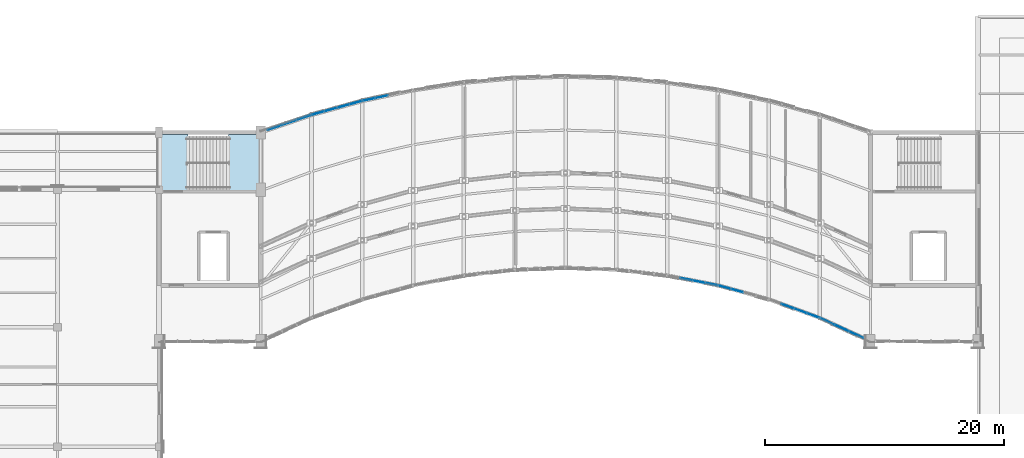
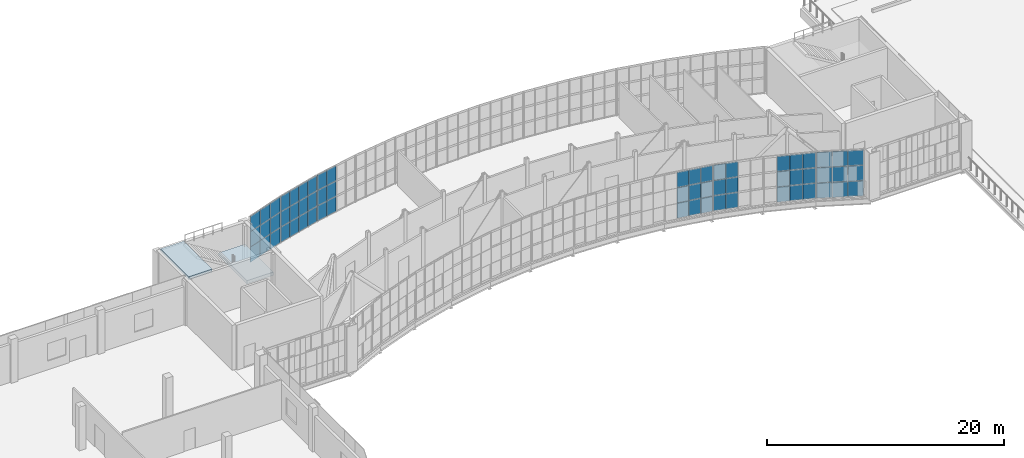
# One storey, part 44 of 66: 60 plates, 2 slabs, 8 elements without a shape of their own.
"""IFC4 building model written with IfcOpenShell, lengths in metres."""

from ifc_helpers import new_model, si_unit, direction, frame, origin, origin_2d, place, context, subcontext, project, spatial, polyline, rectangle, outline, extrude, material, layer, layer_set, type_object, element, aggregate, save


model = new_model("IFC4")

# Units and contexts
model_context = context("Model", 3, precision=1e-05, world=origin(), true_north=direction((0.0, 1.0)))
body_context = subcontext(model_context, "Body", "Model", "MODEL_VIEW")
ifc_project = project(units=[si_unit("LENGTHUNIT", "METRE"), si_unit("AREAUNIT", "SQUARE_METRE"), si_unit("VOLUMEUNIT", "CUBIC_METRE"), si_unit("PLANEANGLEUNIT", "RADIAN"), si_unit("MASSUNIT", "GRAM", prefix="KILO")], contexts=[model_context])

# Site, building, storey
site_placement = place(None, origin())
site = spatial("IfcSite", under=ifc_project, at=site_placement, CompositionType="ELEMENT")
building_placement = place(site_placement, origin())
building = spatial("IfcBuilding", under=site, at=building_placement, Name="Solvikara Media Centre", CompositionType="ELEMENT")
storey_placement = place(building_placement, frame((0.0, 0.0, 19.800048828125)))
storey = spatial("IfcBuildingStorey", under=building, at=storey_placement, Name="L04", CompositionType="ELEMENT", Elevation=19.800048828125)

# Curtain wall, plates
ifc_material_1 = material(Name="Anodised aluminium EN AW-6063", Category="aluminium")
curtain_wall_type_1 = type_object("IfcCurtainWallType", Name="CW-01", PredefinedType="NOTDEFINED", material=ifc_material_1)
curtain_wall_1_placement = place(storey_placement, origin())
curtain_wall_1 = element("IfcCurtainWall", 1, at=curtain_wall_1_placement, inside=storey, type_object=curtain_wall_type_1, Name="CW-L04-SARC-08", PredefinedType="NOTDEFINED")
ifc_material_2 = material(Name="Laminated solar-control cyan vision glass", Category="glass")
ifc_layer_1 = layer(ifc_material_2, 0.035888671875)
ifc_layer_set_1 = layer_set([ifc_layer_1], Name="Laminated solar-control cyan vision glass")
plate_type_1 = type_object("IfcPlateType", Name="PN-01", PredefinedType="CURTAIN_PANEL", material=ifc_layer_set_1)
plate_1_placement = place(storey_placement, frame((113.14794921875, 24.305908203125, 0.03466796875), z_axis=(0.0, 0.0, 1.0), x_axis=(0.981843017659, -0.189695252114, 0.0)))
plate_1 = element("IfcPlate", 2, at=plate_1_placement, type_object=plate_type_1, Name="CW-L04-SARC-08-P0200", PredefinedType="CURTAIN_PANEL", context=body_context, shape_type="SweptSolid", body=[
    extrude(rectangle(XDim=1.034912109375, YDim=0.035888671875, at=origin_2d()), origin(), (0.0, 0.0, 1.0), 1.556884765625),
])
plate_2_placement = place(storey_placement, frame((113.14794921875, 24.305908203125, 3.20849609375), z_axis=(0.0, 0.0, 1.0), x_axis=(0.981843017659, -0.189695252114, 0.0)))
plate_2 = element("IfcPlate", 3, at=plate_2_placement, type_object=plate_type_1, Name="CW-L04-SARC-08-P0202", PredefinedType="CURTAIN_PANEL", context=body_context, shape_type="SweptSolid", body=[
    extrude(rectangle(XDim=1.034912109375, YDim=0.035888671875, at=origin_2d()), origin(), (0.0, 0.0, 1.0), 1.556884765625),
])

curtain_wall_2_placement = place(storey_placement, origin())
curtain_wall_2 = element("IfcCurtainWall", 4, at=curtain_wall_2_placement, inside=storey, type_object=curtain_wall_type_1, Name="CW-L04-SARC-09", PredefinedType="NOTDEFINED")
plate_3_placement = place(storey_placement, frame((115.305908203125, 23.843017578125, 0.03466796875), z_axis=(0.0, 0.0, 1.0), x_axis=(0.96397015682, -0.26601040724, 0.0)))
plate_3 = element("IfcPlate", 5, at=plate_3_placement, type_object=plate_type_1, Name="CW-L04-SARC-09-P0000", PredefinedType="CURTAIN_PANEL", context=body_context, shape_type="SweptSolid", body=[
    extrude(rectangle(XDim=1.054931640625, YDim=0.035888671875, at=origin_2d()), origin(), (0.0, 0.0, 1.0), 1.556884765625),
])
plate_4_placement = place(storey_placement, frame((115.305908203125, 23.843017578125, 3.20849609375), z_axis=(0.0, 0.0, 1.0), x_axis=(0.96397015682, -0.26601040724, 0.0)))
plate_4 = element("IfcPlate", 6, at=plate_4_placement, type_object=plate_type_1, Name="CW-L04-SARC-09-P0002", PredefinedType="CURTAIN_PANEL", context=body_context, shape_type="SweptSolid", body=[
    extrude(rectangle(XDim=1.054931640625, YDim=0.035888671875, at=origin_2d()), origin(), (0.0, 0.0, 1.0), 1.556884765625),
])
plate_5_placement = place(storey_placement, frame((116.35205078125, 23.553955078125, 0.03466796875), z_axis=(0.0, 0.0, 1.0), x_axis=(0.96397015682, -0.26601040724, 0.0)))
plate_5 = element("IfcPlate", 7, at=plate_5_placement, type_object=plate_type_1, Name="CW-L04-SARC-09-P0100", PredefinedType="CURTAIN_PANEL", context=body_context, shape_type="SweptSolid", body=[
    extrude(rectangle(XDim=1.054931640625, YDim=0.035888671875, at=origin_2d()), origin(), (0.0, 0.0, 1.0), 1.556884765625),
])
plate_6_placement = place(storey_placement, frame((116.35205078125, 23.553955078125, 3.20849609375), z_axis=(0.0, 0.0, 1.0), x_axis=(0.96397015682, -0.26601040724, 0.0)))
plate_6 = element("IfcPlate", 8, at=plate_6_placement, type_object=plate_type_1, Name="CW-L04-SARC-09-P0102", PredefinedType="CURTAIN_PANEL", context=body_context, shape_type="SweptSolid", body=[
    extrude(rectangle(XDim=1.054931640625, YDim=0.035888671875, at=origin_2d()), origin(), (0.0, 0.0, 1.0), 1.556884765625),
])

curtain_wall_3_placement = place(storey_placement, origin())
curtain_wall_3 = element("IfcCurtainWall", 9, at=curtain_wall_3_placement, inside=storey, type_object=curtain_wall_type_1, Name="CW-L04-SARC-10", PredefinedType="NOTDEFINED")
plate_7_placement = place(storey_placement, frame((120.60205078125, 22.241943359375, 0.03466796875), z_axis=(0.0, 0.0, 1.0), x_axis=(0.939823877818, -0.341659302058, 0.0)))
plate_7 = element("IfcPlate", 10, at=plate_7_placement, type_object=plate_type_1, Name="CW-L04-SARC-10-P0100", PredefinedType="CURTAIN_PANEL", context=body_context, shape_type="SweptSolid", body=[
    extrude(rectangle(XDim=1.0830078125, YDim=0.035888671875, at=origin_2d()), origin(), (0.0, 0.0, 1.0), 1.556884765625),
])
plate_8_placement = place(storey_placement, frame((121.64794921875, 21.862060546875, 1.62158203125), z_axis=(0.0, 0.0, 1.0), x_axis=(0.939823877818, -0.341659302058, 0.0)))
plate_8 = element("IfcPlate", 11, at=plate_8_placement, type_object=plate_type_1, Name="CW-L04-SARC-10-P0201", PredefinedType="CURTAIN_PANEL", context=body_context, shape_type="SweptSolid", body=[
    extrude(rectangle(XDim=1.0830078125, YDim=0.035888671875, at=origin_2d()), origin(), (0.0, 0.0, 1.0), 1.556884765625),
])
plate_9_placement = place(storey_placement, frame((121.64794921875, 21.862060546875, 3.20849609375), z_axis=(0.0, 0.0, 1.0), x_axis=(0.939823877818, -0.341659302058, 0.0)))
plate_9 = element("IfcPlate", 12, at=plate_9_placement, type_object=plate_type_1, Name="CW-L04-SARC-10-P0202", PredefinedType="CURTAIN_PANEL", context=body_context, shape_type="SweptSolid", body=[
    extrude(rectangle(XDim=1.0830078125, YDim=0.035888671875, at=origin_2d()), origin(), (0.0, 0.0, 1.0), 1.556884765625),
])

curtain_wall_4_placement = place(storey_placement, origin())
curtain_wall_4 = element("IfcCurtainWall", 13, at=curtain_wall_4_placement, inside=storey, type_object=curtain_wall_type_1, Name="CW-L04-SARC-11", PredefinedType="NOTDEFINED")
plate_10_placement = place(storey_placement, frame((123.888916015625, 20.985107421875, 0.03466796875), z_axis=(0.0, 0.0, 1.0), x_axis=(0.908566513921, -0.417740218056, 0.0)))
plate_10 = element("IfcPlate", 14, at=plate_10_placement, type_object=plate_type_1, Name="CW-L04-SARC-11-P0000", PredefinedType="CURTAIN_PANEL", context=body_context, shape_type="SweptSolid", body=[
    extrude(rectangle(XDim=1.306884765625, YDim=0.035888671875, at=origin_2d()), origin(), (0.0, 0.0, 1.0), 1.556884765625),
])
plate_11_placement = place(storey_placement, frame((123.888916015625, 20.985107421875, 1.62158203125), z_axis=(0.0, 0.0, 1.0), x_axis=(0.908566513921, -0.417740218056, 0.0)))
plate_11 = element("IfcPlate", 15, at=plate_11_placement, type_object=plate_type_1, Name="CW-L04-SARC-11-P0001", PredefinedType="CURTAIN_PANEL", context=body_context, shape_type="SweptSolid", body=[
    extrude(rectangle(XDim=1.306884765625, YDim=0.035888671875, at=origin_2d()), origin(), (0.0, 0.0, 1.0), 1.556884765625),
])
plate_12_placement = place(storey_placement, frame((123.888916015625, 20.985107421875, 3.20849609375), z_axis=(0.0, 0.0, 1.0), x_axis=(0.908566513921, -0.417740218056, 0.0)))
plate_12 = element("IfcPlate", 16, at=plate_12_placement, type_object=plate_type_1, Name="CW-L04-SARC-11-P0002", PredefinedType="CURTAIN_PANEL", context=body_context, shape_type="SweptSolid", body=[
    extrude(rectangle(XDim=1.306884765625, YDim=0.035888671875, at=origin_2d()), origin(), (0.0, 0.0, 1.0), 1.556884765625),
])
plate_13_placement = place(storey_placement, frame((125.10400390625, 20.426025390625, 1.62158203125), z_axis=(0.0, 0.0, 1.0), x_axis=(0.908566513921, -0.417740218056, 0.0)))
plate_13 = element("IfcPlate", 17, at=plate_13_placement, type_object=plate_type_1, Name="CW-L04-SARC-11-P0101", PredefinedType="CURTAIN_PANEL", context=body_context, shape_type="SweptSolid", body=[
    extrude(rectangle(XDim=1.306884765625, YDim=0.035888671875, at=origin_2d()), origin(), (0.0, 0.0, 1.0), 1.556884765625),
])
plate_14_placement = place(storey_placement, frame((126.318115234375, 19.867919921875, 0.03466796875), z_axis=(0.0, 0.0, 1.0), x_axis=(0.908566513921, -0.417740218056, 0.0)))
plate_14 = element("IfcPlate", 18, at=plate_14_placement, type_object=plate_type_1, Name="CW-L04-SARC-11-P0200", PredefinedType="CURTAIN_PANEL", context=body_context, shape_type="SweptSolid", body=[
    extrude(rectangle(XDim=1.306884765625, YDim=0.035888671875, at=origin_2d()), origin(), (0.0, 0.0, 1.0), 1.556884765625),
])
plate_15_placement = place(storey_placement, frame((126.318115234375, 19.867919921875, 1.62158203125), z_axis=(0.0, 0.0, 1.0), x_axis=(0.908566513921, -0.417740218056, 0.0)))
plate_15 = element("IfcPlate", 19, at=plate_15_placement, type_object=plate_type_1, Name="CW-L04-SARC-11-P0201", PredefinedType="CURTAIN_PANEL", context=body_context, shape_type="SweptSolid", body=[
    extrude(rectangle(XDim=1.306884765625, YDim=0.035888671875, at=origin_2d()), origin(), (0.0, 0.0, 1.0), 1.556884765625),
])

curtain_wall_type_2 = type_object("IfcCurtainWallType", Name="CW-02", PredefinedType="NOTDEFINED", material=ifc_material_1)
curtain_wall_5_placement = place(storey_placement, origin())
curtain_wall_5 = element("IfcCurtainWall", 20, at=curtain_wall_5_placement, inside=storey, type_object=curtain_wall_type_2, Name="CW-L04-NARC-00", PredefinedType="NOTDEFINED")
plate_16_placement = place(storey_placement, frame((77.674072265625, 37.202880859375, 1.62158203125), z_axis=(0.0, 0.0, 1.0), x_axis=(0.945717277442, 0.324990509319, 0.0)))
plate_16 = element("IfcPlate", 21, at=plate_16_placement, type_object=plate_type_1, Name="CW-L04-NARC-00-P0001", PredefinedType="CURTAIN_PANEL", context=body_context, shape_type="SweptSolid", body=[
    extrude(rectangle(XDim=1.257080078125, YDim=0.035888671875, at=origin_2d()), origin(), (0.0, 0.0, 1.0), 1.556884765625),
])
plate_17_placement = place(storey_placement, frame((78.89111328125, 37.6220703125, 0.03466796875), z_axis=(0.0, 0.0, 1.0), x_axis=(0.945717277442, 0.324990509319, 0.0)))
plate_17 = element("IfcPlate", 22, at=plate_17_placement, type_object=plate_type_1, Name="CW-L04-NARC-00-P0100", PredefinedType="CURTAIN_PANEL", context=body_context, shape_type="SweptSolid", body=[
    extrude(rectangle(XDim=1.257080078125, YDim=0.035888671875, at=origin_2d()), origin(), (0.0, 0.0, 1.0), 1.556884765625),
])
plate_18_placement = place(storey_placement, frame((78.89111328125, 37.6220703125, 1.62158203125), z_axis=(0.0, 0.0, 1.0), x_axis=(0.945717277442, 0.324990509319, 0.0)))
plate_18 = element("IfcPlate", 23, at=plate_18_placement, type_object=plate_type_1, Name="CW-L04-NARC-00-P0101", PredefinedType="CURTAIN_PANEL", context=body_context, shape_type="SweptSolid", body=[
    extrude(rectangle(XDim=1.257080078125, YDim=0.035888671875, at=origin_2d()), origin(), (0.0, 0.0, 1.0), 1.556884765625),
])
plate_19_placement = place(storey_placement, frame((80.10791015625, 38.0400390625, 3.20849609375), z_axis=(0.0, 0.0, 1.0), x_axis=(0.945717277442, 0.324990509319, 0.0)))
plate_19 = element("IfcPlate", 24, at=plate_19_placement, type_object=plate_type_1, Name="CW-L04-NARC-00-P0202", PredefinedType="CURTAIN_PANEL", context=body_context, shape_type="SweptSolid", body=[
    extrude(rectangle(XDim=1.257080078125, YDim=0.035888671875, at=origin_2d()), origin(), (0.0, 0.0, 1.0), 1.556884765625),
])

curtain_wall_6_placement = place(storey_placement, origin())
curtain_wall_6 = element("IfcCurtainWall", 25, at=curtain_wall_6_placement, inside=storey, type_object=curtain_wall_type_2, Name="CW-L04-NARC-01", PredefinedType="NOTDEFINED")
plate_20_placement = place(storey_placement, frame((81.306884765625, 38.4130859375, 1.62158203125), z_axis=(0.0, 0.0, 1.0), x_axis=(0.964030487854, 0.265791682504, 0.0)))
plate_20 = element("IfcPlate", 26, at=plate_20_placement, type_object=plate_type_1, Name="CW-L04-NARC-01-P0001", PredefinedType="CURTAIN_PANEL", context=body_context, shape_type="SweptSolid", body=[
    extrude(rectangle(XDim=1.054931640625, YDim=0.035888671875, at=origin_2d()), origin(), (0.0, 0.0, 1.0), 1.556884765625),
])
plate_21_placement = place(storey_placement, frame((82.35205078125, 38.700927734375, 3.20849609375), z_axis=(0.0, 0.0, 1.0), x_axis=(0.964030487854, 0.265791682504, 0.0)))
plate_21 = element("IfcPlate", 27, at=plate_21_placement, type_object=plate_type_1, Name="CW-L04-NARC-01-P0102", PredefinedType="CURTAIN_PANEL", context=body_context, shape_type="SweptSolid", body=[
    extrude(rectangle(XDim=1.054931640625, YDim=0.035888671875, at=origin_2d()), origin(), (0.0, 0.0, 1.0), 1.556884765625),
])
plate_22_placement = place(storey_placement, frame((83.39697265625, 38.989990234375, 1.62158203125), z_axis=(0.0, 0.0, 1.0), x_axis=(0.964030487854, 0.265791682504, 0.0)))
plate_22 = element("IfcPlate", 28, at=plate_22_placement, type_object=plate_type_1, Name="CW-L04-NARC-01-P0201", PredefinedType="CURTAIN_PANEL", context=body_context, shape_type="SweptSolid", body=[
    extrude(rectangle(XDim=1.054931640625, YDim=0.035888671875, at=origin_2d()), origin(), (0.0, 0.0, 1.0), 1.556884765625),
])
plate_23_placement = place(storey_placement, frame((84.443115234375, 39.278076171875, 3.20849609375), z_axis=(0.0, 0.0, 1.0), x_axis=(0.964030487854, 0.265791682504, 0.0)))
plate_23 = element("IfcPlate", 29, at=plate_23_placement, type_object=plate_type_1, Name="CW-L04-NARC-01-P0302", PredefinedType="CURTAIN_PANEL", context=body_context, shape_type="SweptSolid", body=[
    extrude(rectangle(XDim=1.054931640625, YDim=0.035888671875, at=origin_2d()), origin(), (0.0, 0.0, 1.0), 1.556884765625),
])

curtain_wall_7_placement = place(storey_placement, origin())
curtain_wall_7 = element("IfcCurtainWall", 30, at=curtain_wall_7_placement, inside=storey, type_object=curtain_wall_type_2, Name="CW-L04-NARC-02", PredefinedType="NOTDEFINED")
plate_24_placement = place(storey_placement, frame((86.60205078125, 39.77001953125, 0.03466796875), z_axis=(0.0, 0.0, 1.0), x_axis=(0.97837923005, 0.206818959981, 0.0)))
plate_24 = element("IfcPlate", 31, at=plate_24_placement, type_object=plate_type_1, Name="CW-L04-NARC-02-P0100", PredefinedType="CURTAIN_PANEL", context=body_context, shape_type="SweptSolid", body=[
    extrude(rectangle(XDim=1.0390625, YDim=0.035888671875, at=origin_2d()), origin(), (0.0, 0.0, 1.0), 1.556884765625),
])
plate_25_placement = place(storey_placement, frame((86.60205078125, 39.77001953125, 1.62158203125), z_axis=(0.0, 0.0, 1.0), x_axis=(0.97837923005, 0.206818959981, 0.0)))
plate_25 = element("IfcPlate", 32, at=plate_25_placement, type_object=plate_type_1, Name="CW-L04-NARC-02-P0101", PredefinedType="CURTAIN_PANEL", context=body_context, shape_type="SweptSolid", body=[
    extrude(rectangle(XDim=1.0390625, YDim=0.035888671875, at=origin_2d()), origin(), (0.0, 0.0, 1.0), 1.556884765625),
])
plate_26_placement = place(storey_placement, frame((86.60205078125, 39.77001953125, 3.20849609375), z_axis=(0.0, 0.0, 1.0), x_axis=(0.97837923005, 0.206818959981, 0.0)))
plate_26 = element("IfcPlate", 33, at=plate_26_placement, type_object=plate_type_1, Name="CW-L04-NARC-02-P0102", PredefinedType="CURTAIN_PANEL", context=body_context, shape_type="SweptSolid", body=[
    extrude(rectangle(XDim=1.0390625, YDim=0.035888671875, at=origin_2d()), origin(), (0.0, 0.0, 1.0), 1.556884765625),
])

# Plate
ifc_material_3 = material(Name="Ceramic-fritted teal low-E glass", Category="glass")
ifc_layer_2 = layer(ifc_material_3, 0.0419921875)
ifc_layer_set_2 = layer_set([ifc_layer_2], Name="Ceramic-fritted teal low-E glass")
plate_type_2 = type_object("IfcPlateType", Name="PN-02", PredefinedType="CURTAIN_PANEL", material=ifc_layer_set_2)
plate_27_placement = place(storey_placement, frame((112.10205078125, 24.508056640625, 1.62158203125), z_axis=(0.0, 0.0, 1.0), x_axis=(0.981843017659, -0.189695252114, 0.0)))
plate_27 = element("IfcPlate", 34, at=plate_27_placement, type_object=plate_type_2, Name="CW-L04-SARC-08-P0101", PredefinedType="CURTAIN_PANEL", context=body_context, shape_type="SweptSolid", body=[
    extrude(rectangle(XDim=1.034912109375, YDim=0.0419921875, at=origin_2d()), origin(), (0.0, 0.0, 1.0), 1.556884765625),
])

plate_28_placement = place(storey_placement, frame((113.14794921875, 24.305908203125, 1.62158203125), z_axis=(0.0, 0.0, 1.0), x_axis=(0.981843017659, -0.189695252114, 0.0)))
plate_28 = element("IfcPlate", 35, at=plate_28_placement, type_object=plate_type_2, Name="CW-L04-SARC-08-P0201", PredefinedType="CURTAIN_PANEL", context=body_context, shape_type="SweptSolid", body=[
    extrude(rectangle(XDim=1.034912109375, YDim=0.0419921875, at=origin_2d()), origin(), (0.0, 0.0, 1.0), 1.556884765625),
])

plate_29_placement = place(storey_placement, frame((114.193115234375, 24.10400390625, 0.03466796875), z_axis=(0.0, 0.0, 1.0), x_axis=(0.981843017659, -0.189695252114, 0.0)))
plate_29 = element("IfcPlate", 36, at=plate_29_placement, type_object=plate_type_2, Name="CW-L04-SARC-08-P0300", PredefinedType="CURTAIN_PANEL", context=body_context, shape_type="SweptSolid", body=[
    extrude(rectangle(XDim=1.034912109375, YDim=0.0419921875, at=origin_2d()), origin(), (0.0, 0.0, 1.0), 1.556884765625),
])

plate_30_placement = place(storey_placement, frame((114.193115234375, 24.10400390625, 1.62158203125), z_axis=(0.0, 0.0, 1.0), x_axis=(0.981843017659, -0.189695252114, 0.0)))
plate_30 = element("IfcPlate", 37, at=plate_30_placement, type_object=plate_type_2, Name="CW-L04-SARC-08-P0301", PredefinedType="CURTAIN_PANEL", context=body_context, shape_type="SweptSolid", body=[
    extrude(rectangle(XDim=1.034912109375, YDim=0.0419921875, at=origin_2d()), origin(), (0.0, 0.0, 1.0), 1.556884765625),
])

plate_31_placement = place(storey_placement, frame((114.193115234375, 24.10400390625, 3.20849609375), z_axis=(0.0, 0.0, 1.0), x_axis=(0.981843017659, -0.189695252114, 0.0)))
plate_31 = element("IfcPlate", 38, at=plate_31_placement, type_object=plate_type_2, Name="CW-L04-SARC-08-P0302", PredefinedType="CURTAIN_PANEL", context=body_context, shape_type="SweptSolid", body=[
    extrude(rectangle(XDim=1.034912109375, YDim=0.0419921875, at=origin_2d()), origin(), (0.0, 0.0, 1.0), 1.556884765625),
])

plate_32_placement = place(storey_placement, frame((115.305908203125, 23.843017578125, 1.62158203125), z_axis=(0.0, 0.0, 1.0), x_axis=(0.96397015682, -0.26601040724, 0.0)))
plate_32 = element("IfcPlate", 39, at=plate_32_placement, type_object=plate_type_2, Name="CW-L04-SARC-09-P0001", PredefinedType="CURTAIN_PANEL", context=body_context, shape_type="SweptSolid", body=[
    extrude(rectangle(XDim=1.054931640625, YDim=0.0419921875, at=origin_2d()), origin(), (0.0, 0.0, 1.0), 1.556884765625),
])

plate_33_placement = place(storey_placement, frame((120.60205078125, 22.241943359375, 1.62158203125), z_axis=(0.0, 0.0, 1.0), x_axis=(0.939823877818, -0.341659302058, 0.0)))
plate_33 = element("IfcPlate", 40, at=plate_33_placement, type_object=plate_type_2, Name="CW-L04-SARC-10-P0101", PredefinedType="CURTAIN_PANEL", context=body_context, shape_type="SweptSolid", body=[
    extrude(rectangle(XDim=1.0830078125, YDim=0.0419921875, at=origin_2d()), origin(), (0.0, 0.0, 1.0), 1.556884765625),
])

plate_34_placement = place(storey_placement, frame((121.64794921875, 21.862060546875, 0.03466796875), z_axis=(0.0, 0.0, 1.0), x_axis=(0.939823877818, -0.341659302058, 0.0)))
plate_34 = element("IfcPlate", 41, at=plate_34_placement, type_object=plate_type_2, Name="CW-L04-SARC-10-P0200", PredefinedType="CURTAIN_PANEL", context=body_context, shape_type="SweptSolid", body=[
    extrude(rectangle(XDim=1.0830078125, YDim=0.0419921875, at=origin_2d()), origin(), (0.0, 0.0, 1.0), 1.556884765625),
])

plate_35_placement = place(storey_placement, frame((122.694091796875, 21.48095703125, 0.03466796875), z_axis=(0.0, 0.0, 1.0), x_axis=(0.939823877818, -0.341659302058, 0.0)))
plate_35 = element("IfcPlate", 42, at=plate_35_placement, type_object=plate_type_2, Name="CW-L04-SARC-10-P0300", PredefinedType="CURTAIN_PANEL", context=body_context, shape_type="SweptSolid", body=[
    extrude(rectangle(XDim=1.0830078125, YDim=0.0419921875, at=origin_2d()), origin(), (0.0, 0.0, 1.0), 1.556884765625),
])

plate_36_placement = place(storey_placement, frame((122.694091796875, 21.48095703125, 3.20849609375), z_axis=(0.0, 0.0, 1.0), x_axis=(0.939823877818, -0.341659302058, 0.0)))
plate_36 = element("IfcPlate", 43, at=plate_36_placement, type_object=plate_type_2, Name="CW-L04-SARC-10-P0302", PredefinedType="CURTAIN_PANEL", context=body_context, shape_type="SweptSolid", body=[
    extrude(rectangle(XDim=1.0830078125, YDim=0.0419921875, at=origin_2d()), origin(), (0.0, 0.0, 1.0), 1.556884765625),
])

plate_37_placement = place(storey_placement, frame((126.318115234375, 19.867919921875, 3.20849609375), z_axis=(0.0, 0.0, 1.0), x_axis=(0.908566513921, -0.417740218056, 0.0)))
plate_37 = element("IfcPlate", 44, at=plate_37_placement, type_object=plate_type_2, Name="CW-L04-SARC-11-P0202", PredefinedType="CURTAIN_PANEL", context=body_context, shape_type="SweptSolid", body=[
    extrude(rectangle(XDim=1.306884765625, YDim=0.0419921875, at=origin_2d()), origin(), (0.0, 0.0, 1.0), 1.556884765625),
])

plate_38_placement = place(storey_placement, frame((77.674072265625, 37.202880859375, 0.03466796875), z_axis=(0.0, 0.0, 1.0), x_axis=(0.945717277442, 0.324990509319, 0.0)))
plate_38 = element("IfcPlate", 45, at=plate_38_placement, type_object=plate_type_2, Name="CW-L04-NARC-00-P0000", PredefinedType="CURTAIN_PANEL", context=body_context, shape_type="SweptSolid", body=[
    extrude(rectangle(XDim=1.257080078125, YDim=0.0419921875, at=origin_2d()), origin(), (0.0, 0.0, 1.0), 1.556884765625),
])

plate_39_placement = place(storey_placement, frame((77.674072265625, 37.202880859375, 3.20849609375), z_axis=(0.0, 0.0, 1.0), x_axis=(0.945717277442, 0.324990509319, 0.0)))
plate_39 = element("IfcPlate", 46, at=plate_39_placement, type_object=plate_type_2, Name="CW-L04-NARC-00-P0002", PredefinedType="CURTAIN_PANEL", context=body_context, shape_type="SweptSolid", body=[
    extrude(rectangle(XDim=1.257080078125, YDim=0.0419921875, at=origin_2d()), origin(), (0.0, 0.0, 1.0), 1.556884765625),
])

plate_40_placement = place(storey_placement, frame((80.10791015625, 38.0400390625, 1.62158203125), z_axis=(0.0, 0.0, 1.0), x_axis=(0.945717277442, 0.324990509319, 0.0)))
plate_40 = element("IfcPlate", 47, at=plate_40_placement, type_object=plate_type_2, Name="CW-L04-NARC-00-P0201", PredefinedType="CURTAIN_PANEL", context=body_context, shape_type="SweptSolid", body=[
    extrude(rectangle(XDim=1.257080078125, YDim=0.0419921875, at=origin_2d()), origin(), (0.0, 0.0, 1.0), 1.556884765625),
])

plate_41_placement = place(storey_placement, frame((82.35205078125, 38.700927734375, 0.03466796875), z_axis=(0.0, 0.0, 1.0), x_axis=(0.964030487854, 0.265791682504, 0.0)))
plate_41 = element("IfcPlate", 48, at=plate_41_placement, type_object=plate_type_2, Name="CW-L04-NARC-01-P0100", PredefinedType="CURTAIN_PANEL", context=body_context, shape_type="SweptSolid", body=[
    extrude(rectangle(XDim=1.054931640625, YDim=0.0419921875, at=origin_2d()), origin(), (0.0, 0.0, 1.0), 1.556884765625),
])

plate_42_placement = place(storey_placement, frame((82.35205078125, 38.700927734375, 1.62158203125), z_axis=(0.0, 0.0, 1.0), x_axis=(0.964030487854, 0.265791682504, 0.0)))
plate_42 = element("IfcPlate", 49, at=plate_42_placement, type_object=plate_type_2, Name="CW-L04-NARC-01-P0101", PredefinedType="CURTAIN_PANEL", context=body_context, shape_type="SweptSolid", body=[
    extrude(rectangle(XDim=1.054931640625, YDim=0.0419921875, at=origin_2d()), origin(), (0.0, 0.0, 1.0), 1.556884765625),
])

plate_43_placement = place(storey_placement, frame((83.39697265625, 38.989990234375, 0.03466796875), z_axis=(0.0, 0.0, 1.0), x_axis=(0.964030487854, 0.265791682504, 0.0)))
plate_43 = element("IfcPlate", 50, at=plate_43_placement, type_object=plate_type_2, Name="CW-L04-NARC-01-P0200", PredefinedType="CURTAIN_PANEL", context=body_context, shape_type="SweptSolid", body=[
    extrude(rectangle(XDim=1.054931640625, YDim=0.0419921875, at=origin_2d()), origin(), (0.0, 0.0, 1.0), 1.556884765625),
])

plate_44_placement = place(storey_placement, frame((84.443115234375, 39.278076171875, 1.62158203125), z_axis=(0.0, 0.0, 1.0), x_axis=(0.964030487854, 0.265791682504, 0.0)))
plate_44 = element("IfcPlate", 51, at=plate_44_placement, type_object=plate_type_2, Name="CW-L04-NARC-01-P0301", PredefinedType="CURTAIN_PANEL", context=body_context, shape_type="SweptSolid", body=[
    extrude(rectangle(XDim=1.054931640625, YDim=0.0419921875, at=origin_2d()), origin(), (0.0, 0.0, 1.0), 1.556884765625),
])

plate_45_placement = place(storey_placement, frame((85.555908203125, 39.548095703125, 0.03466796875), z_axis=(0.0, 0.0, 1.0), x_axis=(0.97837923005, 0.206818959981, 0.0)))
plate_45 = element("IfcPlate", 52, at=plate_45_placement, type_object=plate_type_2, Name="CW-L04-NARC-02-P0000", PredefinedType="CURTAIN_PANEL", context=body_context, shape_type="SweptSolid", body=[
    extrude(rectangle(XDim=1.0390625, YDim=0.0419921875, at=origin_2d()), origin(), (0.0, 0.0, 1.0), 1.556884765625),
])

ifc_material_4 = material(Name="Insulated silver-pearl glass spandrel panel", Category="glass")
ifc_layer_3 = layer(ifc_material_4, 0.054931640625)
ifc_layer_set_3 = layer_set([ifc_layer_3], Name="Insulated silver-pearl glass spandrel panel")
plate_type_3 = type_object("IfcPlateType", Name="PN-03", PredefinedType="CURTAIN_PANEL", material=ifc_layer_set_3)
plate_46_placement = place(storey_placement, frame((112.10205078125, 24.508056640625, 0.03466796875), z_axis=(0.0, 0.0, 1.0), x_axis=(0.981843017659, -0.189695252114, 0.0)))
plate_46 = element("IfcPlate", 53, at=plate_46_placement, type_object=plate_type_3, Name="CW-L04-SARC-08-P0100", PredefinedType="CURTAIN_PANEL", context=body_context, shape_type="SweptSolid", body=[
    extrude(rectangle(XDim=1.034912109375, YDim=0.054931640625, at=origin_2d()), origin(), (0.0, 0.0, 1.0), 1.556884765625),
])

plate_47_placement = place(storey_placement, frame((112.10205078125, 24.508056640625, 3.20849609375), z_axis=(0.0, 0.0, 1.0), x_axis=(0.981843017659, -0.189695252114, 0.0)))
plate_47 = element("IfcPlate", 54, at=plate_47_placement, type_object=plate_type_3, Name="CW-L04-SARC-08-P0102", PredefinedType="CURTAIN_PANEL", context=body_context, shape_type="SweptSolid", body=[
    extrude(rectangle(XDim=1.034912109375, YDim=0.054931640625, at=origin_2d()), origin(), (0.0, 0.0, 1.0), 1.556884765625),
])

aggregate(curtain_wall_1, [plate_46, plate_27, plate_47, plate_1, plate_28, plate_2, plate_29, plate_30, plate_31])

plate_48_placement = place(storey_placement, frame((116.35205078125, 23.553955078125, 1.62158203125), z_axis=(0.0, 0.0, 1.0), x_axis=(0.96397015682, -0.26601040724, 0.0)))
plate_48 = element("IfcPlate", 55, at=plate_48_placement, type_object=plate_type_3, Name="CW-L04-SARC-09-P0101", PredefinedType="CURTAIN_PANEL", context=body_context, shape_type="SweptSolid", body=[
    extrude(rectangle(XDim=1.054931640625, YDim=0.054931640625, at=origin_2d()), origin(), (0.0, 0.0, 1.0), 1.556884765625),
])

aggregate(curtain_wall_2, [plate_3, plate_32, plate_4, plate_5, plate_48, plate_6])

plate_49_placement = place(storey_placement, frame((120.60205078125, 22.241943359375, 3.20849609375), z_axis=(0.0, 0.0, 1.0), x_axis=(0.939823877818, -0.341659302058, 0.0)))
plate_49 = element("IfcPlate", 56, at=plate_49_placement, type_object=plate_type_3, Name="CW-L04-SARC-10-P0102", PredefinedType="CURTAIN_PANEL", context=body_context, shape_type="SweptSolid", body=[
    extrude(rectangle(XDim=1.0830078125, YDim=0.054931640625, at=origin_2d()), origin(), (0.0, 0.0, 1.0), 1.556884765625),
])

plate_50_placement = place(storey_placement, frame((122.694091796875, 21.48095703125, 1.62158203125), z_axis=(0.0, 0.0, 1.0), x_axis=(0.939823877818, -0.341659302058, 0.0)))
plate_50 = element("IfcPlate", 57, at=plate_50_placement, type_object=plate_type_3, Name="CW-L04-SARC-10-P0301", PredefinedType="CURTAIN_PANEL", context=body_context, shape_type="SweptSolid", body=[
    extrude(rectangle(XDim=1.0830078125, YDim=0.054931640625, at=origin_2d()), origin(), (0.0, 0.0, 1.0), 1.556884765625),
])

aggregate(curtain_wall_3, [plate_7, plate_33, plate_49, plate_34, plate_8, plate_9, plate_35, plate_50, plate_36])

plate_51_placement = place(storey_placement, frame((125.10400390625, 20.426025390625, 0.03466796875), z_axis=(0.0, 0.0, 1.0), x_axis=(0.908566513921, -0.417740218056, 0.0)))
plate_51 = element("IfcPlate", 58, at=plate_51_placement, type_object=plate_type_3, Name="CW-L04-SARC-11-P0100", PredefinedType="CURTAIN_PANEL", context=body_context, shape_type="SweptSolid", body=[
    extrude(rectangle(XDim=1.306884765625, YDim=0.054931640625, at=origin_2d()), origin(), (0.0, 0.0, 1.0), 1.556884765625),
])

plate_52_placement = place(storey_placement, frame((125.10400390625, 20.426025390625, 3.20849609375), z_axis=(0.0, 0.0, 1.0), x_axis=(0.908566513921, -0.417740218056, 0.0)))
plate_52 = element("IfcPlate", 59, at=plate_52_placement, type_object=plate_type_3, Name="CW-L04-SARC-11-P0102", PredefinedType="CURTAIN_PANEL", context=body_context, shape_type="SweptSolid", body=[
    extrude(rectangle(XDim=1.306884765625, YDim=0.054931640625, at=origin_2d()), origin(), (0.0, 0.0, 1.0), 1.556884765625),
])

aggregate(curtain_wall_4, [plate_10, plate_11, plate_12, plate_51, plate_13, plate_52, plate_14, plate_15, plate_37])

plate_53_placement = place(storey_placement, frame((78.89111328125, 37.6220703125, 3.20849609375), z_axis=(0.0, 0.0, 1.0), x_axis=(0.945717277442, 0.324990509319, 0.0)))
plate_53 = element("IfcPlate", 60, at=plate_53_placement, type_object=plate_type_3, Name="CW-L04-NARC-00-P0102", PredefinedType="CURTAIN_PANEL", context=body_context, shape_type="SweptSolid", body=[
    extrude(rectangle(XDim=1.257080078125, YDim=0.054931640625, at=origin_2d()), origin(), (0.0, 0.0, 1.0), 1.556884765625),
])

plate_54_placement = place(storey_placement, frame((80.10791015625, 38.0400390625, 0.03466796875), z_axis=(0.0, 0.0, 1.0), x_axis=(0.945717277442, 0.324990509319, 0.0)))
plate_54 = element("IfcPlate", 61, at=plate_54_placement, type_object=plate_type_3, Name="CW-L04-NARC-00-P0200", PredefinedType="CURTAIN_PANEL", context=body_context, shape_type="SweptSolid", body=[
    extrude(rectangle(XDim=1.257080078125, YDim=0.054931640625, at=origin_2d()), origin(), (0.0, 0.0, 1.0), 1.556884765625),
])

aggregate(curtain_wall_5, [plate_38, plate_16, plate_39, plate_17, plate_18, plate_53, plate_54, plate_40, plate_19])

plate_55_placement = place(storey_placement, frame((81.306884765625, 38.4130859375, 0.03466796875), z_axis=(0.0, 0.0, 1.0), x_axis=(0.964030487854, 0.265791682504, 0.0)))
plate_55 = element("IfcPlate", 62, at=plate_55_placement, type_object=plate_type_3, Name="CW-L04-NARC-01-P0000", PredefinedType="CURTAIN_PANEL", context=body_context, shape_type="SweptSolid", body=[
    extrude(rectangle(XDim=1.054931640625, YDim=0.054931640625, at=origin_2d()), origin(), (0.0, 0.0, 1.0), 1.556884765625),
])

plate_56_placement = place(storey_placement, frame((81.306884765625, 38.4130859375, 3.20849609375), z_axis=(0.0, 0.0, 1.0), x_axis=(0.964030487854, 0.265791682504, 0.0)))
plate_56 = element("IfcPlate", 63, at=plate_56_placement, type_object=plate_type_3, Name="CW-L04-NARC-01-P0002", PredefinedType="CURTAIN_PANEL", context=body_context, shape_type="SweptSolid", body=[
    extrude(rectangle(XDim=1.054931640625, YDim=0.054931640625, at=origin_2d()), origin(), (0.0, 0.0, 1.0), 1.556884765625),
])

plate_57_placement = place(storey_placement, frame((83.39697265625, 38.989990234375, 3.20849609375), z_axis=(0.0, 0.0, 1.0), x_axis=(0.964030487854, 0.265791682504, 0.0)))
plate_57 = element("IfcPlate", 64, at=plate_57_placement, type_object=plate_type_3, Name="CW-L04-NARC-01-P0202", PredefinedType="CURTAIN_PANEL", context=body_context, shape_type="SweptSolid", body=[
    extrude(rectangle(XDim=1.054931640625, YDim=0.054931640625, at=origin_2d()), origin(), (0.0, 0.0, 1.0), 1.556884765625),
])

plate_58_placement = place(storey_placement, frame((84.443115234375, 39.278076171875, 0.03466796875), z_axis=(0.0, 0.0, 1.0), x_axis=(0.964030487854, 0.265791682504, 0.0)))
plate_58 = element("IfcPlate", 65, at=plate_58_placement, type_object=plate_type_3, Name="CW-L04-NARC-01-P0300", PredefinedType="CURTAIN_PANEL", context=body_context, shape_type="SweptSolid", body=[
    extrude(rectangle(XDim=1.054931640625, YDim=0.054931640625, at=origin_2d()), origin(), (0.0, 0.0, 1.0), 1.556884765625),
])

aggregate(curtain_wall_6, [plate_55, plate_20, plate_56, plate_41, plate_42, plate_21, plate_43, plate_22, plate_57, plate_58, plate_44, plate_23])

plate_59_placement = place(storey_placement, frame((85.555908203125, 39.548095703125, 1.62158203125), z_axis=(0.0, 0.0, 1.0), x_axis=(0.97837923005, 0.206818959981, 0.0)))
plate_59 = element("IfcPlate", 66, at=plate_59_placement, type_object=plate_type_3, Name="CW-L04-NARC-02-P0001", PredefinedType="CURTAIN_PANEL", context=body_context, shape_type="SweptSolid", body=[
    extrude(rectangle(XDim=1.0390625, YDim=0.054931640625, at=origin_2d()), origin(), (0.0, 0.0, 1.0), 1.556884765625),
])

plate_60_placement = place(storey_placement, frame((85.555908203125, 39.548095703125, 3.20849609375), z_axis=(0.0, 0.0, 1.0), x_axis=(0.97837923005, 0.206818959981, 0.0)))
plate_60 = element("IfcPlate", 67, at=plate_60_placement, type_object=plate_type_3, Name="CW-L04-NARC-02-P0002", PredefinedType="CURTAIN_PANEL", context=body_context, shape_type="SweptSolid", body=[
    extrude(rectangle(XDim=1.0390625, YDim=0.054931640625, at=origin_2d()), origin(), (0.0, 0.0, 1.0), 1.556884765625),
])

aggregate(curtain_wall_7, [plate_45, plate_59, plate_60, plate_24, plate_25, plate_26])

# Stair, slabs
ifc_material_5 = material(Name="Concrete fc' 35 MPa (C35/45)", Category="concrete")
stair_type = type_object("IfcStairType", Name="SR-03", PredefinedType="HALF_TURN_STAIR", material=ifc_material_5)
stair_placement = place(storey_placement, origin())
stair = element("IfcStair", 68, at=stair_placement, inside=storey, type_object=stair_type, Name="ST-C3-L04", PredefinedType="HALF_TURN_STAIR")
ifc_layer_4 = layer(ifc_material_5, 0.330078125)
ifc_layer_set_4 = layer_set([ifc_layer_4], Name="Concrete fc' 35 MPa (C35/45)")
slab_type = type_object("IfcSlabType", Name="ST-15", PredefinedType="LANDING", material=ifc_layer_set_4)
slab_1_placement = place(storey_placement, frame((0.0, 0.0, 2.070068359375)))
slab_1 = element("IfcSlab", 69, at=slab_1_placement, type_object=slab_type, Name="ST-C3-L04-LND", PredefinedType="LANDING", context=body_context, shape_type="SweptSolid", body=[
    extrude(outline(polyline([(73.800048828125, 31.85009765625), (76.3798828125, 31.85009765625), (76.3798828125, 36.6201171875), (73.800048828125, 36.6201171875), (73.800048828125, 31.85009765625)])), origin(), (0.0, 0.0, 1.0), 0.329833984375),
])
slab_2_placement = place(storey_placement, frame((0.0, 0.0, 4.469970703125)))
slab_2 = element("IfcSlab", 70, at=slab_2_placement, type_object=slab_type, Name="ST-C3-L04-ARR", PredefinedType="LANDING", context=body_context, shape_type="SweptSolid", body=[
    extrude(outline(polyline([(68.1201171875, 31.85009765625), (70.39990234375, 31.85009765625), (70.39990234375, 36.6201171875), (68.1201171875, 36.6201171875), (68.1201171875, 31.85009765625)])), origin(), (0.0, 0.0, 1.0), 0.330078125),
])
aggregate(stair, [slab_1, slab_2])

save(model, "model.ifc")
